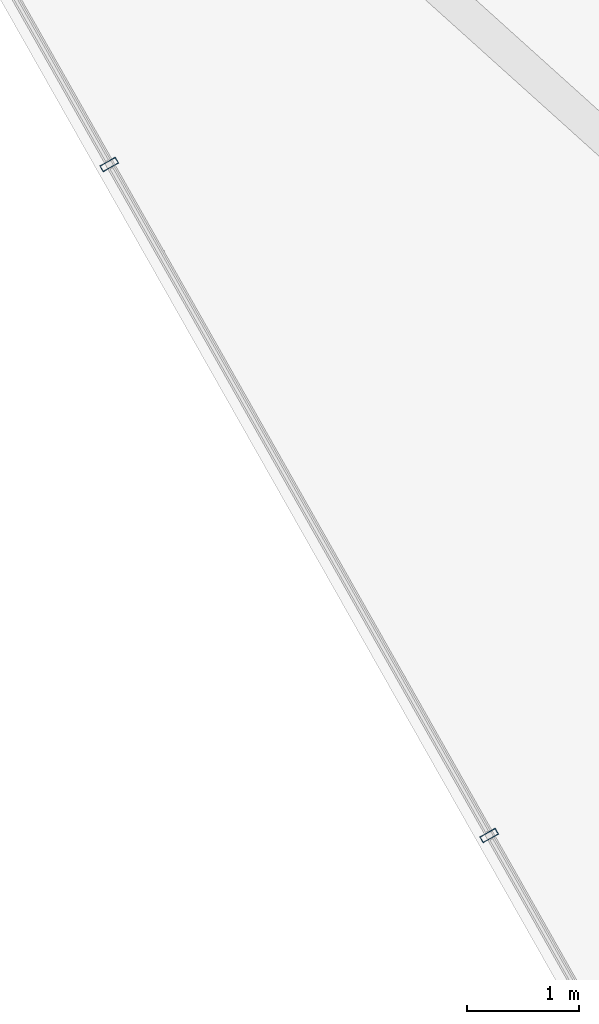
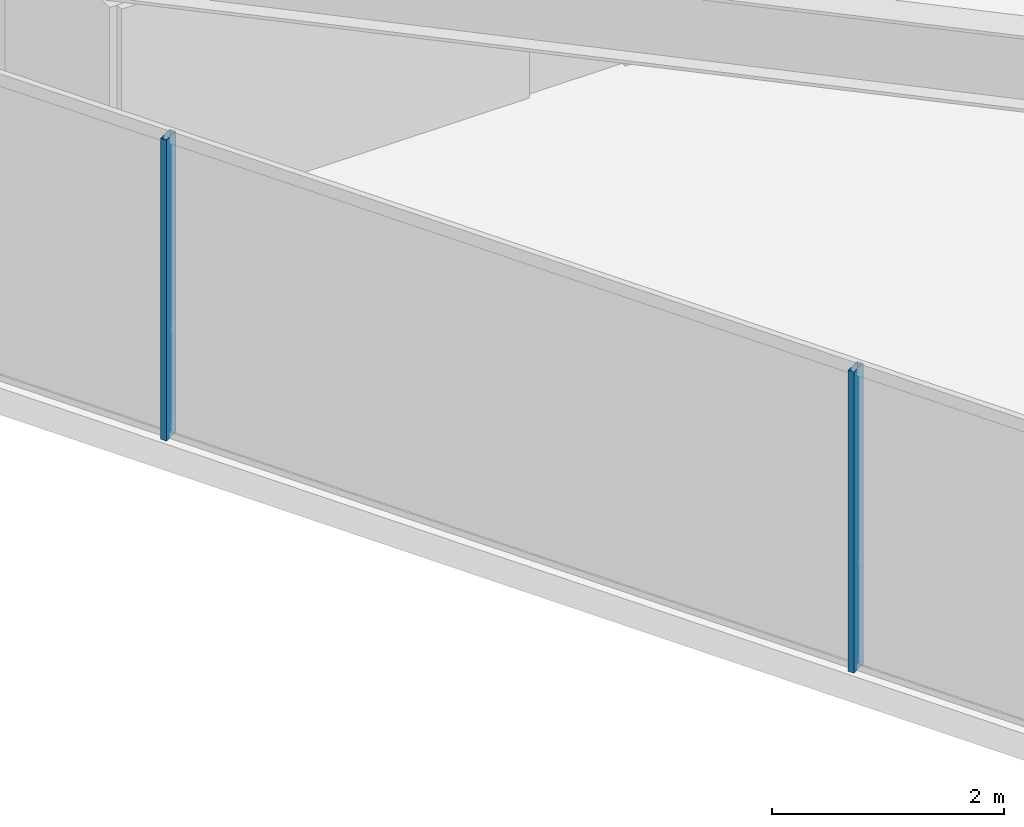
# One storey, part 3 of 31: 2 members, 1 element without a shape of its own.
"""IFC4 building model written with IfcOpenShell, lengths in metres."""

from ifc_helpers import new_model, si_unit, direction, frame, origin, origin_2d, place, context, subcontext, project, spatial, hollow_rectangle, extrude, material, layer, layer_set, material_profile, profile_set, type_object, element, aggregate, save


model = new_model("IFC4")

# Units and contexts
model_context = context("Model", 3, precision=1e-05, world=origin(), true_north=direction((0.0, 1.0)))
body_context = subcontext(model_context, "Body", "Model", "MODEL_VIEW")
ifc_project = project(units=[si_unit("LENGTHUNIT", "METRE"), si_unit("AREAUNIT", "SQUARE_METRE"), si_unit("VOLUMEUNIT", "CUBIC_METRE"), si_unit("PLANEANGLEUNIT", "RADIAN"), si_unit("MASSUNIT", "GRAM", prefix="KILO")], contexts=[model_context])

# Site, building, storey
site_placement = place(None, origin())
site = spatial("IfcSite", under=ifc_project, at=site_placement, CompositionType="ELEMENT")
building_placement = place(site_placement, origin())
building = spatial("IfcBuilding", under=site, at=building_placement, Name="Qarnah Convention Tower", CompositionType="ELEMENT")
storey_placement = place(building_placement, frame((0.0, 0.0, 64.949951171875)))
storey = spatial("IfcBuildingStorey", under=building, at=storey_placement, Name="L16", CompositionType="ELEMENT", Elevation=64.949951171875)

# Curtain wall, members
ifc_material_1 = material(Name="Tempered Low-E dark glass", Category="glass")
ifc_layer = layer(ifc_material_1, 0.16796875)
ifc_layer_set = layer_set([ifc_layer], Name="Tempered Low-E dark glass")
curtain_wall_type = type_object("IfcCurtainWallType", Name="CWS-01", PredefinedType="NOTDEFINED", material=ifc_layer_set)
curtain_wall_placement = place(storey_placement, origin())
curtain_wall = element("IfcCurtainWall", 1, at=curtain_wall_placement, inside=storey, type_object=curtain_wall_type, Name="L16 unitised curtain wall CW-L16-F3", PredefinedType="NOTDEFINED")
ifc_material_2 = material(Name="Black anodised aluminium", Category="aluminium")
ifc_material_profile = material_profile(ifc_material_2, hollow_rectangle(XDim=0.06005859375, YDim=0.159912109375, WallThickness=0.00390625, at=origin_2d()), Name="MUL-60X160")
ifc_profile_set = profile_set([ifc_material_profile], Name="Black anodised aluminium")
member_type = type_object("IfcMemberType", Name="MUL-T1", PredefinedType="MULLION", material=ifc_profile_set)
member_1_placement = place(storey_placement, frame((27.21630859375, 7.899169921875, 0.0), z_axis=(0.0, 0.0, 1.0), x_axis=(-0.492728662866, 0.870183006493, 0.0)))
member_1 = element("IfcMember", 2, at=member_1_placement, type_object=member_type, Name="CW-L16-F3 mullion 2", PredefinedType="MULLION", context=body_context, shape_type="SweptSolid", body=[
    extrude(hollow_rectangle(XDim=0.06005859375, YDim=0.159912109375, WallThickness=0.00390625, at=origin_2d()), origin(), (0.0, 0.0, 1.0), 3.170166015625),
])
member_2_placement = place(storey_placement, frame((23.826904296875, 13.885498046875, 0.0), z_axis=(0.0, 0.0, 1.0), x_axis=(-0.492728662866, 0.870183006493, 0.0)))
member_2 = element("IfcMember", 3, at=member_2_placement, type_object=member_type, Name="CW-L16-F3 mullion 3", PredefinedType="MULLION", context=body_context, shape_type="SweptSolid", body=[
    extrude(hollow_rectangle(XDim=0.06005859375, YDim=0.159912109375, WallThickness=0.00390625, at=origin_2d()), origin(), (0.0, 0.0, 1.0), 3.170166015625),
])
aggregate(curtain_wall, [member_1, member_2])

save(model, "model.ifc")
